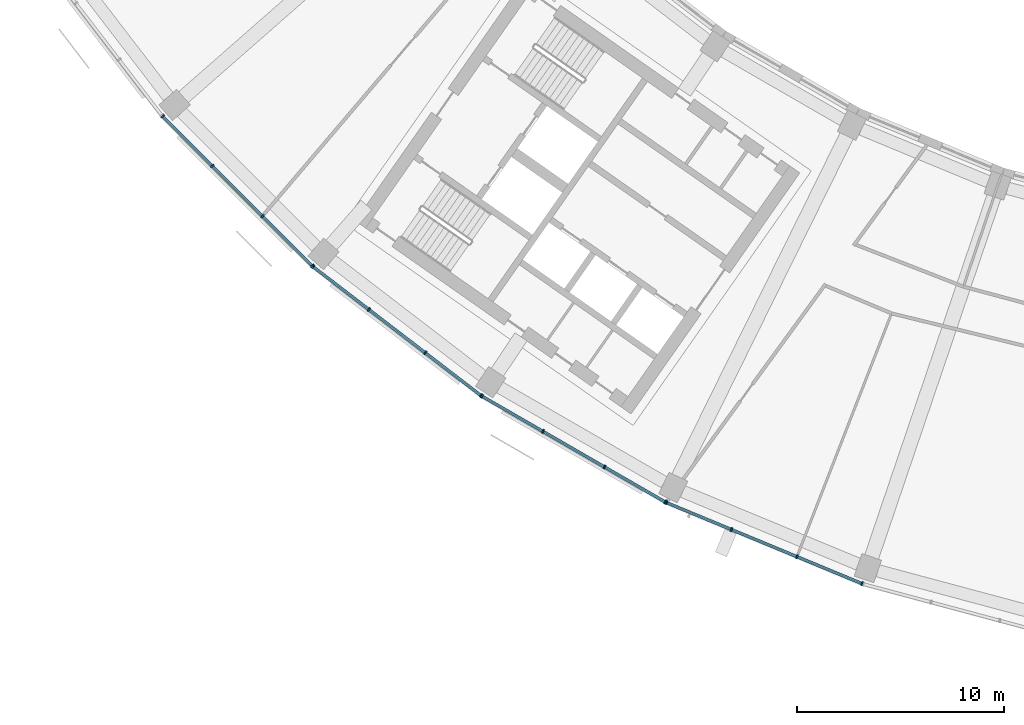
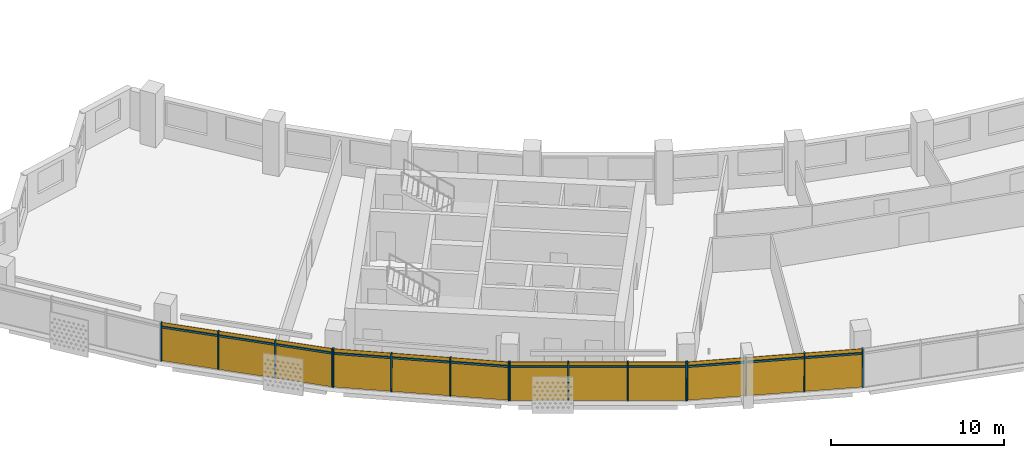
# One storey, part 18 of 28: 28 members, 4 curtain walls.
"""IFC4 building model written with IfcOpenShell, lengths in metres."""

from ifc_helpers import new_model, si_unit, direction, frame, origin, origin_2d, place, context, subcontext, project, spatial, rectangle, extrude, material, material_profile, profile_set, type_object, element, aggregate, save


model = new_model("IFC4")

# Units and contexts
model_context = context("Model", 3, precision=1e-05, world=origin(), true_north=direction((0.0, 1.0)))
body_context = subcontext(model_context, "Body", "Model", "MODEL_VIEW")
ifc_project = project(units=[si_unit("LENGTHUNIT", "METRE"), si_unit("AREAUNIT", "SQUARE_METRE"), si_unit("VOLUMEUNIT", "CUBIC_METRE"), si_unit("PLANEANGLEUNIT", "RADIAN"), si_unit("MASSUNIT", "GRAM", prefix="KILO")], contexts=[model_context])

# Member
ifc_material = material(Name="Aluminium 6063-T6 anodised", Category="aluminium")
ifc_material_profile_1 = material_profile(ifc_material, rectangle(XDim=0.199951171875, YDim=0.070068359375, at=origin_2d()))
ifc_profile_set_1 = profile_set([ifc_material_profile_1], Name="Aluminium 6063-T6 anodised")
member_type_1 = type_object("IfcMemberType", Name="Mullion 70 x 200 aluminium", PredefinedType="MULLION", material=ifc_profile_set_1)
site_placement = place(None, origin())
building_placement = place(site_placement, origin())
storey_placement = place(building_placement, frame((0.0, 0.0, 230.300048828125)))
member_1_placement = place(storey_placement, frame((-59.03662109375, -51.8115234375, 0.0), z_axis=(0.0, 0.0, 1.0), x_axis=(0.707106781187, 0.707106781187, 0.0)))
member_1 = element("IfcMember", 1, at=member_1_placement, type_object=member_type_1, Name="e-cw1-L55-out02/M00", PredefinedType="MULLION", context=body_context, shape_type="SweptSolid", body=[
    extrude(rectangle(XDim=0.199951171875, YDim=0.070068359375, at=origin_2d()), origin(), (0.0, 0.0, 1.0), 2.699951171875),
])

member_2_placement = place(storey_placement, frame((-56.63671875, -54.211669921875, 0.0), z_axis=(0.0, 0.0, 1.0), x_axis=(0.707106781187, 0.707106781187, 0.0)))
member_2 = element("IfcMember", 2, at=member_2_placement, type_object=member_type_1, Name="e-cw1-L55-out02/M01", PredefinedType="MULLION", context=body_context, shape_type="SweptSolid", body=[
    extrude(rectangle(XDim=0.199951171875, YDim=0.070068359375, at=origin_2d()), origin(), (0.0, 0.0, 1.0), 2.699951171875),
])

member_3_placement = place(storey_placement, frame((-54.211669921875, -56.63671875, 0.0), z_axis=(0.0, 0.0, 1.0), x_axis=(0.707106781187, 0.707106781187, 0.0)))
member_3 = element("IfcMember", 3, at=member_3_placement, type_object=member_type_1, Name="e-cw1-L55-out02/M02", PredefinedType="MULLION", context=body_context, shape_type="SweptSolid", body=[
    extrude(rectangle(XDim=0.199951171875, YDim=0.070068359375, at=origin_2d()), origin(), (0.0, 0.0, 1.0), 2.699951171875),
])

member_4_placement = place(storey_placement, frame((-51.8115234375, -59.03662109375, 0.0), z_axis=(0.0, 0.0, 1.0), x_axis=(0.707106781187, 0.707106781187, 0.0)))
member_4 = element("IfcMember", 4, at=member_4_placement, type_object=member_type_1, Name="e-cw1-L55-out02/M03", PredefinedType="MULLION", context=body_context, shape_type="SweptSolid", body=[
    extrude(rectangle(XDim=0.199951171875, YDim=0.070068359375, at=origin_2d()), origin(), (0.0, 0.0, 1.0), 2.699951171875),
])

member_5_placement = place(storey_placement, frame((-51.768798828125, -59.07421875, 0.0), z_axis=(0.0, 0.0, 1.0), x_axis=(0.608761429009, 0.793353340291, 0.0)))
member_5 = element("IfcMember", 5, at=member_5_placement, type_object=member_type_1, Name="e-cw1-L55-out03/M00", PredefinedType="MULLION", context=body_context, shape_type="SweptSolid", body=[
    extrude(rectangle(XDim=0.199951171875, YDim=0.070068359375, at=origin_2d()), origin(), (0.0, 0.0, 1.0), 2.699951171875),
])

member_6_placement = place(storey_placement, frame((-49.075927734375, -61.140380859375, 0.0), z_axis=(0.0, 0.0, 1.0), x_axis=(0.608761429009, 0.793353340291, 0.0)))
member_6 = element("IfcMember", 6, at=member_6_placement, type_object=member_type_1, Name="e-cw1-L55-out03/M01", PredefinedType="MULLION", context=body_context, shape_type="SweptSolid", body=[
    extrude(rectangle(XDim=0.199951171875, YDim=0.070068359375, at=origin_2d()), origin(), (0.0, 0.0, 1.0), 2.699951171875),
])

member_7_placement = place(storey_placement, frame((-46.35546875, -63.22802734375, 0.0), z_axis=(0.0, 0.0, 1.0), x_axis=(0.608761429009, 0.793353340291, 0.0)))
member_7 = element("IfcMember", 7, at=member_7_placement, type_object=member_type_1, Name="e-cw1-L55-out03/M02", PredefinedType="MULLION", context=body_context, shape_type="SweptSolid", body=[
    extrude(rectangle(XDim=0.199951171875, YDim=0.070068359375, at=origin_2d()), origin(), (0.0, 0.0, 1.0), 2.699951171875),
])

member_8_placement = place(storey_placement, frame((-43.66259765625, -65.29443359375, 0.0), z_axis=(0.0, 0.0, 1.0), x_axis=(0.608761429009, 0.793353340291, 0.0)))
member_8 = element("IfcMember", 8, at=member_8_placement, type_object=member_type_1, Name="e-cw1-L55-out03/M03", PredefinedType="MULLION", context=body_context, shape_type="SweptSolid", body=[
    extrude(rectangle(XDim=0.199951171875, YDim=0.070068359375, at=origin_2d()), origin(), (0.0, 0.0, 1.0), 2.699951171875),
])

member_9_placement = place(storey_placement, frame((-43.615234375, -65.325927734375, 0.0), z_axis=(0.0, 0.0, 1.0), x_axis=(0.5, 0.866025403784, 0.0)))
member_9 = element("IfcMember", 9, at=member_9_placement, type_object=member_type_1, Name="e-cw1-L55-out04/M00", PredefinedType="MULLION", context=body_context, shape_type="SweptSolid", body=[
    extrude(rectangle(XDim=0.199951171875, YDim=0.070068359375, at=origin_2d()), origin(), (0.0, 0.0, 1.0), 2.699951171875),
])

member_10_placement = place(storey_placement, frame((-40.67578125, -67.023193359375, 0.0), z_axis=(0.0, 0.0, 1.0), x_axis=(0.5, 0.866025403784, 0.0)))
member_10 = element("IfcMember", 10, at=member_10_placement, type_object=member_type_1, Name="e-cw1-L55-out04/M01", PredefinedType="MULLION", context=body_context, shape_type="SweptSolid", body=[
    extrude(rectangle(XDim=0.199951171875, YDim=0.070068359375, at=origin_2d()), origin(), (0.0, 0.0, 1.0), 2.699951171875),
])

member_11_placement = place(storey_placement, frame((-37.705810546875, -68.73779296875, 0.0), z_axis=(0.0, 0.0, 1.0), x_axis=(0.5, 0.866025403784, 0.0)))
member_11 = element("IfcMember", 11, at=member_11_placement, type_object=member_type_1, Name="e-cw1-L55-out04/M02", PredefinedType="MULLION", context=body_context, shape_type="SweptSolid", body=[
    extrude(rectangle(XDim=0.199951171875, YDim=0.070068359375, at=origin_2d()), origin(), (0.0, 0.0, 1.0), 2.699951171875),
])

member_12_placement = place(storey_placement, frame((-34.766357421875, -70.43505859375, 0.0), z_axis=(0.0, 0.0, 1.0), x_axis=(0.5, 0.866025403784, 0.0)))
member_12 = element("IfcMember", 12, at=member_12_placement, type_object=member_type_1, Name="e-cw1-L55-out04/M03", PredefinedType="MULLION", context=body_context, shape_type="SweptSolid", body=[
    extrude(rectangle(XDim=0.199951171875, YDim=0.070068359375, at=origin_2d()), origin(), (0.0, 0.0, 1.0), 2.699951171875),
])

member_13_placement = place(storey_placement, frame((-34.71533203125, -70.4599609375, 0.0), z_axis=(0.0, 0.0, 1.0), x_axis=(0.382683432365, 0.923879532511, 0.0)))
member_13 = element("IfcMember", 13, at=member_13_placement, type_object=member_type_1, Name="e-cw1-L55-out05/M00", PredefinedType="MULLION", context=body_context, shape_type="SweptSolid", body=[
    extrude(rectangle(XDim=0.199951171875, YDim=0.070068359375, at=origin_2d()), origin(), (0.0, 0.0, 1.0), 2.699951171875),
])

member_14_placement = place(storey_placement, frame((-31.57958984375, -71.759033203125, 0.0), z_axis=(0.0, 0.0, 1.0), x_axis=(0.382683432365, 0.923879532511, 0.0)))
member_14 = element("IfcMember", 14, at=member_14_placement, type_object=member_type_1, Name="e-cw1-L55-out05/M01", PredefinedType="MULLION", context=body_context, shape_type="SweptSolid", body=[
    extrude(rectangle(XDim=0.199951171875, YDim=0.070068359375, at=origin_2d()), origin(), (0.0, 0.0, 1.0), 2.699951171875),
])

member_15_placement = place(storey_placement, frame((-28.4111328125, -73.0712890625, 0.0), z_axis=(0.0, 0.0, 1.0), x_axis=(0.382683432365, 0.923879532511, 0.0)))
member_15 = element("IfcMember", 15, at=member_15_placement, type_object=member_type_1, Name="e-cw1-L55-out05/M02", PredefinedType="MULLION", context=body_context, shape_type="SweptSolid", body=[
    extrude(rectangle(XDim=0.199951171875, YDim=0.070068359375, at=origin_2d()), origin(), (0.0, 0.0, 1.0), 2.699951171875),
])

member_16_placement = place(storey_placement, frame((-25.275390625, -74.370361328125, 0.0), z_axis=(0.0, 0.0, 1.0), x_axis=(0.382683432365, 0.923879532511, 0.0)))
member_16 = element("IfcMember", 16, at=member_16_placement, type_object=member_type_1, Name="e-cw1-L55-out05/M03", PredefinedType="MULLION", context=body_context, shape_type="SweptSolid", body=[
    extrude(rectangle(XDim=0.199951171875, YDim=0.070068359375, at=origin_2d()), origin(), (0.0, 0.0, 1.0), 2.699951171875),
])

ifc_material_profile_2 = material_profile(ifc_material, rectangle(XDim=0.139892578125, YDim=0.1201171875, at=origin_2d()))
ifc_profile_set_2 = profile_set([ifc_material_profile_2], Name="Aluminium 6063-T6 anodised")
member_type_2 = type_object("IfcMemberType", Name="Transom 120 x 140 aluminium", PredefinedType="USERDEFINED", material=ifc_profile_set_2)
member_17_placement = place(storey_placement, frame((-59.011962890625, -51.83642578125, 2.39990234375), z_axis=(0.707106781187, -0.707106781187, 0.0), x_axis=(0.707106781187, 0.707106781187, 0.0)))
member_17 = element("IfcMember", 17, at=member_17_placement, type_object=member_type_2, Name="e-cw1-L55-out02/T00", ObjectType="TRANSOM", PredefinedType="USERDEFINED", context=body_context, shape_type="SweptSolid", body=[
    extrude(rectangle(XDim=0.139892578125, YDim=0.1201171875, at=origin_2d()), origin(), (0.0, 0.0, 1.0), 3.32421875),
])

member_18_placement = place(storey_placement, frame((-56.61181640625, -54.236572265625, 2.39990234375), z_axis=(0.707106781187, -0.707106781187, 0.0), x_axis=(0.707106781187, 0.707106781187, 0.0)))
member_18 = element("IfcMember", 18, at=member_18_placement, type_object=member_type_2, Name="e-cw1-L55-out02/T01", ObjectType="TRANSOM", PredefinedType="USERDEFINED", context=body_context, shape_type="SweptSolid", body=[
    extrude(rectangle(XDim=0.139892578125, YDim=0.1201171875, at=origin_2d()), origin(), (0.0, 0.0, 1.0), 3.359130859375),
])

member_19_placement = place(storey_placement, frame((-54.18701171875, -56.661376953125, 2.39990234375), z_axis=(0.707106781187, -0.707106781187, 0.0), x_axis=(0.707106781187, 0.707106781187, 0.0)))
member_19 = element("IfcMember", 19, at=member_19_placement, type_object=member_type_2, Name="e-cw1-L55-out02/T02", ObjectType="TRANSOM", PredefinedType="USERDEFINED", context=body_context, shape_type="SweptSolid", body=[
    extrude(rectangle(XDim=0.139892578125, YDim=0.1201171875, at=origin_2d()), origin(), (0.0, 0.0, 1.0), 3.32421875),
])

member_20_placement = place(storey_placement, frame((-51.7412109375, -59.095458984375, 2.39990234375), z_axis=(0.793368713958, -0.608741393132, 0.0), x_axis=(0.608741393132, 0.793368713958, 0.0)))
member_20 = element("IfcMember", 20, at=member_20_placement, type_object=member_type_2, Name="e-cw1-L55-out03/T00", ObjectType="TRANSOM", PredefinedType="USERDEFINED", context=body_context, shape_type="SweptSolid", body=[
    extrude(rectangle(XDim=0.139892578125, YDim=0.1201171875, at=origin_2d()), origin(), (0.0, 0.0, 1.0), 3.324462890625),
])

member_21_placement = place(storey_placement, frame((-49.04833984375, -61.161865234375, 2.39990234375), z_axis=(0.793385234627, -0.608719861247, 0.0), x_axis=(0.608719861247, 0.793385234627, 0.0)))
member_21 = element("IfcMember", 21, at=member_21_placement, type_object=member_type_2, Name="e-cw1-L55-out03/T01", ObjectType="TRANSOM", PredefinedType="USERDEFINED", context=body_context, shape_type="SweptSolid", body=[
    extrude(rectangle(XDim=0.139892578125, YDim=0.1201171875, at=origin_2d()), origin(), (0.0, 0.0, 1.0), 3.359375),
])

member_22_placement = place(storey_placement, frame((-46.32763671875, -63.24951171875, 2.39990234375), z_axis=(0.793368713958, -0.608741393132, 0.0), x_axis=(0.608741393132, 0.793368713958, 0.0)))
member_22 = element("IfcMember", 22, at=member_22_placement, type_object=member_type_2, Name="e-cw1-L55-out03/T02", ObjectType="TRANSOM", PredefinedType="USERDEFINED", context=body_context, shape_type="SweptSolid", body=[
    extrude(rectangle(XDim=0.139892578125, YDim=0.1201171875, at=origin_2d()), origin(), (0.0, 0.0, 1.0), 3.324462890625),
])

member_23_placement = place(storey_placement, frame((-43.5849609375, -65.343505859375, 2.39990234375), z_axis=(0.866029041019, -0.499993700073, 0.0), x_axis=(0.499993700073, 0.866029041019, 0.0)))
member_23 = element("IfcMember", 23, at=member_23_placement, type_object=member_type_2, Name="e-cw1-L55-out04/T00", ObjectType="TRANSOM", PredefinedType="USERDEFINED", context=body_context, shape_type="SweptSolid", body=[
    extrude(rectangle(XDim=0.139892578125, YDim=0.1201171875, at=origin_2d()), origin(), (0.0, 0.0, 1.0), 3.32421875),
])

member_24_placement = place(storey_placement, frame((-40.6455078125, -67.04052734375, 2.39990234375), z_axis=(0.866034314054, -0.499984566643, 0.0), x_axis=(0.499984566643, 0.866034314054, 0.0)))
member_24 = element("IfcMember", 24, at=member_24_placement, type_object=member_type_2, Name="e-cw1-L55-out04/T01", ObjectType="TRANSOM", PredefinedType="USERDEFINED", context=body_context, shape_type="SweptSolid", body=[
    extrude(rectangle(XDim=0.139892578125, YDim=0.1201171875, at=origin_2d()), origin(), (0.0, 0.0, 1.0), 3.359375),
])

member_25_placement = place(storey_placement, frame((-37.675537109375, -68.75537109375, 2.39990234375), z_axis=(0.866029041019, -0.499993700073, 0.0), x_axis=(0.499993700073, 0.866029041019, 0.0)))
member_25 = element("IfcMember", 25, at=member_25_placement, type_object=member_type_2, Name="e-cw1-L55-out04/T02", ObjectType="TRANSOM", PredefinedType="USERDEFINED", context=body_context, shape_type="SweptSolid", body=[
    extrude(rectangle(XDim=0.139892578125, YDim=0.1201171875, at=origin_2d()), origin(), (0.0, 0.0, 1.0), 3.32421875),
])

member_26_placement = place(storey_placement, frame((-34.68310546875, -70.473388671875, 2.39990234375), z_axis=(0.923874511193, -0.382695554676, 0.0), x_axis=(0.382695554676, 0.923874511193, 0.0)))
member_26 = element("IfcMember", 26, at=member_26_placement, type_object=member_type_2, Name="e-cw1-L55-out05/T00", ObjectType="TRANSOM", PredefinedType="USERDEFINED", context=body_context, shape_type="SweptSolid", body=[
    extrude(rectangle(XDim=0.139892578125, YDim=0.1201171875, at=origin_2d()), origin(), (0.0, 0.0, 1.0), 3.324462890625),
])

member_27_placement = place(storey_placement, frame((-31.547119140625, -71.7724609375, 2.39990234375), z_axis=(0.923891938088, -0.38265348128, 0.0), x_axis=(0.38265348128, 0.923891938088, 0.0)))
member_27 = element("IfcMember", 27, at=member_27_placement, type_object=member_type_2, Name="e-cw1-L55-out05/T01", ObjectType="TRANSOM", PredefinedType="USERDEFINED", context=body_context, shape_type="SweptSolid", body=[
    extrude(rectangle(XDim=0.139892578125, YDim=0.1201171875, at=origin_2d()), origin(), (0.0, 0.0, 1.0), 3.359130859375),
])

member_28_placement = place(storey_placement, frame((-28.37890625, -73.084716796875, 2.39990234375), z_axis=(0.923874511193, -0.382695554676, 0.0), x_axis=(0.382695554676, 0.923874511193, 0.0)))
member_28 = element("IfcMember", 28, at=member_28_placement, type_object=member_type_2, Name="e-cw1-L55-out05/T02", ObjectType="TRANSOM", PredefinedType="USERDEFINED", context=body_context, shape_type="SweptSolid", body=[
    extrude(rectangle(XDim=0.139892578125, YDim=0.1201171875, at=origin_2d()), origin(), (0.0, 0.0, 1.0), 3.324462890625),
])

# Site, building, storey
site = spatial("IfcSite", under=ifc_project, at=site_placement, CompositionType="ELEMENT")
building = spatial("IfcBuilding", under=site, at=building_placement, Name="Qamariyya Broadcast Tower", CompositionType="ELEMENT")
storey = spatial("IfcBuildingStorey", under=building, at=storey_placement, Name="L55", CompositionType="ELEMENT", Elevation=230.300048828125)

# Curtain wall
curtain_wall_type = type_object("IfcCurtainWallType", Name="Unitised curtain wall, anodised aluminium", PredefinedType="NOTDEFINED", material=ifc_material)
curtain_wall_1_placement = place(storey_placement, origin())
curtain_wall_1 = element("IfcCurtainWall", 29, at=curtain_wall_1_placement, inside=storey, type_object=curtain_wall_type, Name="e-cw1-L55-out02", PredefinedType="NOTDEFINED", context=body_context, shape_type="SweptSolid", body=[
    extrude(rectangle(XDim=3.32421875, YDim=0.031982421875, at=origin_2d()), frame((-57.836669921875, -53.01171875, 0.0), x_axis=(0.707106781187, -0.707106781187, 0.0)), (0.0, 0.0, 1.0), 2.340087890625),
    extrude(rectangle(XDim=3.32421875, YDim=0.031982421875, at=origin_2d()), frame((-57.836669921875, -53.01171875, 2.4599609375), x_axis=(0.707106781187, -0.707106781187, 0.0)), (0.0, 0.0, 1.0), 0.239990234375),
    extrude(rectangle(XDim=3.359375, YDim=0.031982421875, at=origin_2d()), frame((-55.42431640625, -55.42431640625, 0.0), x_axis=(0.707106781187, -0.707106781187, 0.0)), (0.0, 0.0, 1.0), 2.340087890625),
    extrude(rectangle(XDim=3.359375, YDim=0.031982421875, at=origin_2d()), frame((-55.42431640625, -55.42431640625, 2.4599609375), x_axis=(0.707106781187, -0.707106781187, 0.0)), (0.0, 0.0, 1.0), 0.239990234375),
    extrude(rectangle(XDim=3.32421875, YDim=0.031982421875, at=origin_2d()), frame((-53.01171875, -57.836669921875, 0.0), x_axis=(0.707106781187, -0.707106781187, 0.0)), (0.0, 0.0, 1.0), 2.340087890625),
    extrude(rectangle(XDim=3.32421875, YDim=0.031982421875, at=origin_2d()), frame((-53.01171875, -57.836669921875, 2.4599609375), x_axis=(0.707106781187, -0.707106781187, 0.0)), (0.0, 0.0, 1.0), 0.239990234375),
])

aggregate(curtain_wall_1, [member_1, member_2, member_3, member_4, member_17, member_18, member_19])

curtain_wall_2_placement = place(storey_placement, origin())
curtain_wall_2 = element("IfcCurtainWall", 30, at=curtain_wall_2_placement, inside=storey, type_object=curtain_wall_type, Name="e-cw1-L55-out03", PredefinedType="NOTDEFINED", context=body_context, shape_type="SweptSolid", body=[
    extrude(rectangle(XDim=3.32421875, YDim=0.031982421875, at=origin_2d()), frame((-50.42236328125, -60.107421875, 0.0), x_axis=(0.793359168734, -0.608753833159, 0.0)), (0.0, 0.0, 1.0), 2.340087890625),
    extrude(rectangle(XDim=3.32421875, YDim=0.031982421875, at=origin_2d()), frame((-50.42236328125, -60.107421875, 2.4599609375), x_axis=(0.793359168734, -0.608753833159, 0.0)), (0.0, 0.0, 1.0), 0.239990234375),
    extrude(rectangle(XDim=3.359130859375, YDim=0.031982421875, at=origin_2d()), frame((-47.7158203125, -62.184326171875, 0.0), x_axis=(0.793359168734, -0.608753833159, 0.0)), (0.0, 0.0, 1.0), 2.340087890625),
    extrude(rectangle(XDim=3.359130859375, YDim=0.031982421875, at=origin_2d()), frame((-47.7158203125, -62.184326171875, 2.4599609375), x_axis=(0.793359168734, -0.608753833159, 0.0)), (0.0, 0.0, 1.0), 0.239990234375),
    extrude(rectangle(XDim=3.32421875, YDim=0.031982421875, at=origin_2d()), frame((-45.009033203125, -64.26123046875, 0.0), x_axis=(0.793359168734, -0.608753833159, 0.0)), (0.0, 0.0, 1.0), 2.340087890625),
    extrude(rectangle(XDim=3.32421875, YDim=0.031982421875, at=origin_2d()), frame((-45.009033203125, -64.26123046875, 2.4599609375), x_axis=(0.793359168734, -0.608753833159, 0.0)), (0.0, 0.0, 1.0), 0.239990234375),
])

aggregate(curtain_wall_2, [member_5, member_6, member_7, member_8, member_20, member_21, member_22])

curtain_wall_3_placement = place(storey_placement, origin())
curtain_wall_3 = element("IfcCurtainWall", 31, at=curtain_wall_3_placement, inside=storey, type_object=curtain_wall_type, Name="e-cw1-L55-out04", PredefinedType="NOTDEFINED", context=body_context, shape_type="SweptSolid", body=[
    extrude(rectangle(XDim=3.32421875, YDim=0.031982421875, at=origin_2d()), frame((-42.1455078125, -66.174560546875, 0.0), x_axis=(0.866027904674, -0.499995668308, 0.0)), (0.0, 0.0, 1.0), 2.340087890625),
    extrude(rectangle(XDim=3.32421875, YDim=0.031982421875, at=origin_2d()), frame((-42.1455078125, -66.174560546875, 2.4599609375), x_axis=(0.866027904674, -0.499995668308, 0.0)), (0.0, 0.0, 1.0), 0.239990234375),
    extrude(rectangle(XDim=3.359130859375, YDim=0.031982421875, at=origin_2d()), frame((-39.19091796875, -67.88037109375, 0.0), x_axis=(0.866027904674, -0.499995668308, 0.0)), (0.0, 0.0, 1.0), 2.340087890625),
    extrude(rectangle(XDim=3.359130859375, YDim=0.031982421875, at=origin_2d()), frame((-39.19091796875, -67.88037109375, 2.4599609375), x_axis=(0.866027904674, -0.499995668308, 0.0)), (0.0, 0.0, 1.0), 0.239990234375),
    extrude(rectangle(XDim=3.32421875, YDim=0.031982421875, at=origin_2d()), frame((-36.236083984375, -69.58642578125, 0.0), x_axis=(0.866027904674, -0.499995668308, 0.0)), (0.0, 0.0, 1.0), 2.340087890625),
    extrude(rectangle(XDim=3.32421875, YDim=0.031982421875, at=origin_2d()), frame((-36.236083984375, -69.58642578125, 2.4599609375), x_axis=(0.866027904674, -0.499995668308, 0.0)), (0.0, 0.0, 1.0), 0.239990234375),
])

aggregate(curtain_wall_3, [member_9, member_10, member_11, member_12, member_23, member_24, member_25])

curtain_wall_4_placement = place(storey_placement, origin())
curtain_wall_4 = element("IfcCurtainWall", 32, at=curtain_wall_4_placement, inside=storey, type_object=curtain_wall_type, Name="e-cw1-L55-out05", PredefinedType="NOTDEFINED", context=body_context, shape_type="SweptSolid", body=[
    extrude(rectangle(XDim=3.32421875, YDim=0.031982421875, at=origin_2d()), frame((-33.1474609375, -71.109375, 0.0), x_axis=(0.923880895135, -0.382680142683, 0.0)), (0.0, 0.0, 1.0), 2.340087890625),
    extrude(rectangle(XDim=3.32421875, YDim=0.031982421875, at=origin_2d()), frame((-33.1474609375, -71.109375, 2.4599609375), x_axis=(0.923880895135, -0.382680142683, 0.0)), (0.0, 0.0, 1.0), 0.239990234375),
    extrude(rectangle(XDim=3.359375, YDim=0.031982421875, at=origin_2d()), frame((-29.995361328125, -72.4150390625, 0.0), x_axis=(0.923880895135, -0.382680142683, 0.0)), (0.0, 0.0, 1.0), 2.340087890625),
    extrude(rectangle(XDim=3.359375, YDim=0.031982421875, at=origin_2d()), frame((-29.995361328125, -72.4150390625, 2.4599609375), x_axis=(0.923880895135, -0.382680142683, 0.0)), (0.0, 0.0, 1.0), 0.239990234375),
    extrude(rectangle(XDim=3.32421875, YDim=0.031982421875, at=origin_2d()), frame((-26.84326171875, -73.720703125, 0.0), x_axis=(0.923880895135, -0.382680142683, 0.0)), (0.0, 0.0, 1.0), 2.340087890625),
    extrude(rectangle(XDim=3.32421875, YDim=0.031982421875, at=origin_2d()), frame((-26.84326171875, -73.720703125, 2.4599609375), x_axis=(0.923880895135, -0.382680142683, 0.0)), (0.0, 0.0, 1.0), 0.239990234375),
])

aggregate(curtain_wall_4, [member_13, member_14, member_15, member_16, member_26, member_27, member_28])

save(model, "model.ifc")
